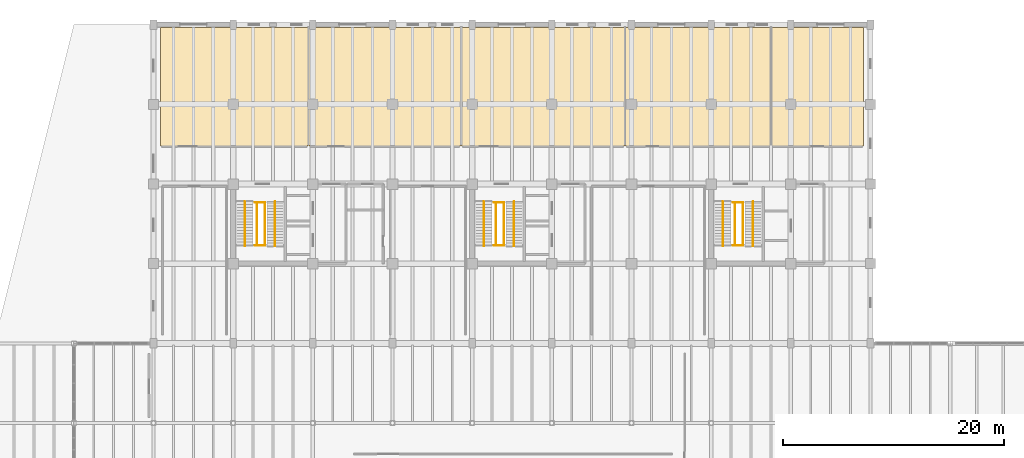
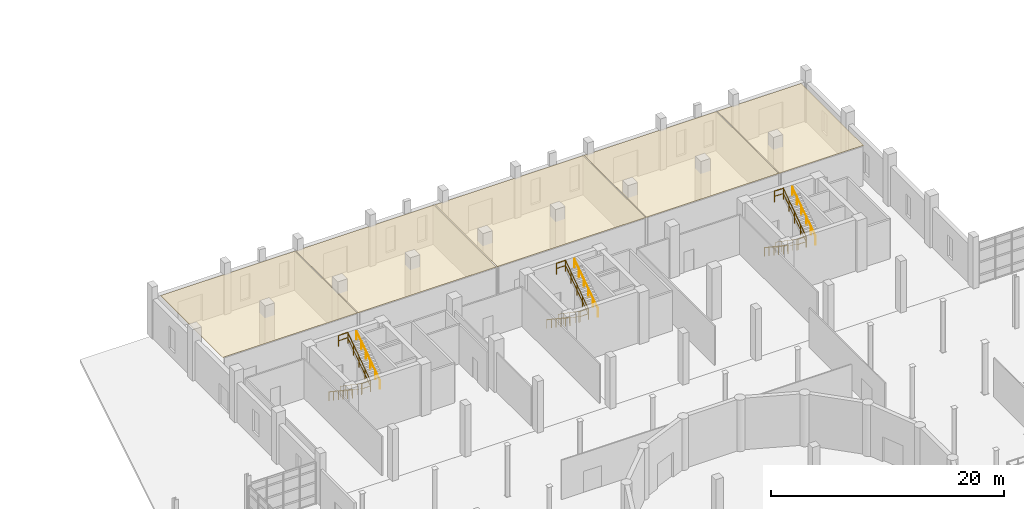
# One storey, part 77 of 79: 18 railings, 5 coverings.
"""IFC4 building model written with IfcOpenShell, lengths in metres."""

from ifc_helpers import new_model, si_unit, direction, frame, origin, origin_2d, place, context, subcontext, project, spatial, polyline, circle, outline, extrude, material, layer, layer_set, type_object, element, save


model = new_model("IFC4")

# Units and contexts
model_context = context("Model", 3, precision=1e-05, world=origin(), true_north=direction((0.0, 1.0)))
body_context = subcontext(model_context, "Body", "Model", "MODEL_VIEW")
ifc_project = project(units=[si_unit("LENGTHUNIT", "METRE"), si_unit("AREAUNIT", "SQUARE_METRE"), si_unit("VOLUMEUNIT", "CUBIC_METRE"), si_unit("PLANEANGLEUNIT", "RADIAN"), si_unit("MASSUNIT", "GRAM", prefix="KILO")], contexts=[model_context])

# Site, building, storey
site_placement = place(None, origin())
site = spatial("IfcSite", under=ifc_project, at=site_placement, CompositionType="ELEMENT")
building_placement = place(site_placement, origin())
building = spatial("IfcBuilding", under=site, at=building_placement, Name="Qiaolan Assembly House", CompositionType="ELEMENT")
storey_placement = place(building_placement, origin())
storey = spatial("IfcBuildingStorey", under=building, at=storey_placement, Name="L00", CompositionType="ELEMENT", Elevation=0.0)

# Coverings
ifc_material_1 = material(Name="Gypsum plasterboard acoustic ceiling")
ifc_layer_1 = layer(ifc_material_1, 0.044921875)
ifc_layer_set_1 = layer_set([ifc_layer_1], Name="Gypsum plasterboard acoustic ceiling")
covering_type_1 = type_object("IfcCoveringType", Name="COV-CEIL-ACOUSTIC", PredefinedType="CEILING", material=ifc_layer_set_1)
covering_1_placement = place(storey_placement, frame((0.0, 0.0, 4.074951171875)))
element("IfcCovering", 1, at=covering_1_placement, inside=storey, type_object=covering_type_1, Name="Suspended ceiling Civic Reception & One-Stop Triage Desk", PredefinedType="CEILING", context=body_context, shape_type="SweptSolid", body=[
    extrude(outline(polyline([(36.639892578125, 104.239990234375), (49.9599609375, 104.239990234375), (49.9599609375, 114.949951171875), (36.639892578125, 114.949951171875), (36.639892578125, 104.239990234375)])), origin(), (0.0, 0.0, 1.0), 0.045166015625),
])
covering_2_placement = place(storey_placement, frame((0.0, 0.0, 4.074951171875)))
element("IfcCovering", 2, at=covering_2_placement, inside=storey, type_object=covering_type_1, Name="Suspended ceiling Municipal Document Registry & Cashier", PredefinedType="CEILING", context=body_context, shape_type="SweptSolid", body=[
    extrude(outline(polyline([(50.0400390625, 104.239990234375), (63.760009765625, 104.239990234375), (63.760009765625, 114.949951171875), (50.0400390625, 114.949951171875), (50.0400390625, 104.239990234375)])), origin(), (0.0, 0.0, 1.0), 0.045166015625),
])
covering_3_placement = place(storey_placement, frame((0.0, 0.0, 4.074951171875)))
element("IfcCovering", 3, at=covering_3_placement, inside=storey, type_object=covering_type_1, Name="Suspended ceiling Public Printing, Records & Permits Counter", PredefinedType="CEILING", context=body_context, shape_type="SweptSolid", body=[
    extrude(outline(polyline([(78.639892578125, 104.239990234375), (91.760009765625, 104.239990234375), (91.760009765625, 114.949951171875), (78.639892578125, 114.949951171875), (78.639892578125, 104.239990234375)])), origin(), (0.0, 0.0, 1.0), 0.045166015625),
])
covering_4_placement = place(storey_placement, frame((0.0, 0.0, 4.074951171875)))
element("IfcCovering", 4, at=covering_4_placement, inside=storey, type_object=covering_type_1, Name="Suspended ceiling Staff First-Aid & Duty Clinic", PredefinedType="CEILING", context=body_context, shape_type="SweptSolid", body=[
    extrude(outline(polyline([(91.840087890625, 104.239990234375), (100.159912109375, 104.239990234375), (100.159912109375, 114.949951171875), (91.840087890625, 114.949951171875), (91.840087890625, 104.239990234375)])), origin(), (0.0, 0.0, 1.0), 0.045166015625),
])
ifc_layer_2 = layer(ifc_material_1, 0.052001953125)
ifc_layer_set_2 = layer_set([ifc_layer_2], Name="Gypsum plasterboard acoustic ceiling")
covering_type_2 = type_object("IfcCoveringType", Name="COV-CEIL-GYPSUM", PredefinedType="CEILING", material=ifc_layer_set_2)
covering_5_placement = place(storey_placement, frame((0.0, 0.0, 4.068115234375)))
element("IfcCovering", 5, at=covering_5_placement, inside=storey, type_object=covering_type_2, Name="Suspended ceiling Citizen Consultation & Mediation Suite", PredefinedType="CEILING", context=body_context, shape_type="SweptSolid", body=[
    extrude(outline(polyline([(63.840087890625, 104.239990234375), (78.56005859375, 104.239990234375), (78.56005859375, 114.949951171875), (63.840087890625, 114.949951171875), (63.840087890625, 104.239990234375)])), origin(), (0.0, 0.0, 1.0), 0.052001953125),
])

# Railings
ifc_material_2 = material(Name="Anodised bronze aluminium", Category="aluminium")
railing_type_1 = type_object("IfcRailingType", Name="RAL-GUARD-STAIRWELL-1150", PredefinedType="GUARDRAIL", material=ifc_material_2)
railing_1_placement = place(storey_placement, frame((45.340087890625, 99.14990234375, 0.0)))
element("IfcRailing", 6, at=railing_1_placement, inside=storey, type_object=railing_type_1, Name="GR-01 stair inner-well guard FLT-CORE-A-L00-1", PredefinedType="GUARDRAIL", context=body_context, shape_type="SweptSolid", body=[
    extrude(circle(Radius=0.02392578125, at=origin_2d()), frame((0.0, 0.0, 1.1259765625), z_axis=(0.0, -0.8221903387, 0.569212655295), x_axis=(1.0, 0.0, 0.0)), (0.0, 0.0, 1.0), 4.743408203125),
    extrude(circle(Radius=0.01611328125, at=origin_2d()), frame((0.0, 0.0, 0.574951171875), z_axis=(0.0, -0.8221903387, 0.569212655295), x_axis=(1.0, 0.0, 0.0)), (0.0, 0.0, 1.0), 4.743408203125),
    extrude(circle(Radius=0.02099609375, at=origin_2d()), origin(), (0.0, 0.0, 1.0), 1.101806640625),
    extrude(circle(Radius=0.02099609375, at=origin_2d()), frame((0.0, -0.97509765625, 0.675048828125)), (0.0, 0.0, 1.0), 1.101806640625),
    extrude(circle(Radius=0.02099609375, at=origin_2d()), frame((0.0, -1.949951171875, 1.35009765625)), (0.0, 0.0, 1.0), 1.101806640625),
    extrude(circle(Radius=0.02099609375, at=origin_2d()), frame((0.0, -2.9248046875, 2.02490234375)), (0.0, 0.0, 1.0), 1.101806640625),
    extrude(circle(Radius=0.02099609375, at=origin_2d()), frame((0.0, -3.89990234375, 2.699951171875)), (0.0, 0.0, 1.0), 1.101806640625),
])
railing_2_placement = place(storey_placement, frame((46.080078125, 95.25, 2.699951171875)))
element("IfcRailing", 7, at=railing_2_placement, inside=storey, type_object=railing_type_1, Name="GR-01 stair inner-well guard FLT-CORE-A-L00-2", PredefinedType="GUARDRAIL", context=body_context, shape_type="SweptSolid", body=[
    extrude(circle(Radius=0.02392578125, at=origin_2d()), frame((0.0, 0.0, 1.1259765625), z_axis=(0.0, 0.8221903387, 0.569212655295), x_axis=(-1.0, 0.0, 0.0)), (0.0, 0.0, 1.0), 4.743408203125),
    extrude(circle(Radius=0.01611328125, at=origin_2d()), frame((0.0, 0.0, 0.574951171875), z_axis=(0.0, 0.8221903387, 0.569212655295), x_axis=(-1.0, 0.0, 0.0)), (0.0, 0.0, 1.0), 4.743408203125),
    extrude(circle(Radius=0.02099609375, at=origin_2d()), origin(), (0.0, 0.0, 1.0), 1.101806640625),
    extrude(circle(Radius=0.02099609375, at=origin_2d()), frame((0.0, 0.97509765625, 0.675048828125)), (0.0, 0.0, 1.0), 1.101806640625),
    extrude(circle(Radius=0.02099609375, at=origin_2d()), frame((0.0, 1.949951171875, 1.35009765625)), (0.0, 0.0, 1.0), 1.101806640625),
    extrude(circle(Radius=0.02099609375, at=origin_2d()), frame((0.0, 2.9248046875, 2.02490234375)), (0.0, 0.0, 1.0), 1.101806640625),
    extrude(circle(Radius=0.02099609375, at=origin_2d()), frame((0.0, 3.89990234375, 2.699951171875)), (0.0, 0.0, 1.0), 1.101806640625),
])
for number, where, name in (
    (8, (45.179931640625, 95.25, 2.699951171875), "GR-01 stairwell landing guard CORE-A L00-1"),
    (9, (45.179931640625, 99.14990234375, 5.39990234375), "GR-01 stairwell landing guard CORE-A L00-2"),
):
    element("IfcRailing", number, at=place(storey_placement, frame(where)), inside=storey, type_object=railing_type_1, Name=name, PredefinedType="GUARDRAIL", context=body_context, shape_type="SweptSolid", body=[
        extrude(circle(Radius=0.02392578125, at=origin_2d()), frame((0.0, 0.0, 1.1259765625), z_axis=(1.0, 0.0, 0.0), x_axis=(0.0, 1.0, 0.0)), (0.0, 0.0, 1.0), 0.920166015625),
        extrude(circle(Radius=0.01611328125, at=origin_2d()), frame((0.0, 0.0, 0.574951171875), z_axis=(1.0, 0.0, 0.0), x_axis=(0.0, 1.0, 0.0)), (0.0, 0.0, 1.0), 0.920166015625),
        extrude(circle(Radius=0.02099609375, at=origin_2d()), origin(), (0.0, 0.0, 1.0), 1.101806640625),
        extrude(circle(Radius=0.02099609375, at=origin_2d()), frame((0.920166015625, 0.0, 0.0)), (0.0, 0.0, 1.0), 1.101806640625),
    ])
railing_3_placement = place(storey_placement, frame((66.93994140625, 99.14990234375, 0.0)))
element("IfcRailing", 10, at=railing_3_placement, inside=storey, type_object=railing_type_1, Name="GR-01 stair inner-well guard FLT-CORE-B-L00-1", PredefinedType="GUARDRAIL", context=body_context, shape_type="SweptSolid", body=[
    extrude(circle(Radius=0.02392578125, at=origin_2d()), frame((0.0, 0.0, 1.1259765625), z_axis=(0.0, -0.8221903387, 0.569212655295), x_axis=(1.0, 0.0, 0.0)), (0.0, 0.0, 1.0), 4.743408203125),
    extrude(circle(Radius=0.01611328125, at=origin_2d()), frame((0.0, 0.0, 0.574951171875), z_axis=(0.0, -0.8221903387, 0.569212655295), x_axis=(1.0, 0.0, 0.0)), (0.0, 0.0, 1.0), 4.743408203125),
    extrude(circle(Radius=0.02099609375, at=origin_2d()), origin(), (0.0, 0.0, 1.0), 1.101806640625),
    extrude(circle(Radius=0.02099609375, at=origin_2d()), frame((0.0, -0.97509765625, 0.675048828125)), (0.0, 0.0, 1.0), 1.101806640625),
    extrude(circle(Radius=0.02099609375, at=origin_2d()), frame((0.0, -1.949951171875, 1.35009765625)), (0.0, 0.0, 1.0), 1.101806640625),
    extrude(circle(Radius=0.02099609375, at=origin_2d()), frame((0.0, -2.9248046875, 2.02490234375)), (0.0, 0.0, 1.0), 1.101806640625),
    extrude(circle(Radius=0.02099609375, at=origin_2d()), frame((0.0, -3.89990234375, 2.699951171875)), (0.0, 0.0, 1.0), 1.101806640625),
])
railing_4_placement = place(storey_placement, frame((67.679931640625, 95.25, 2.699951171875)))
element("IfcRailing", 11, at=railing_4_placement, inside=storey, type_object=railing_type_1, Name="GR-01 stair inner-well guard FLT-CORE-B-L00-2", PredefinedType="GUARDRAIL", context=body_context, shape_type="SweptSolid", body=[
    extrude(circle(Radius=0.02392578125, at=origin_2d()), frame((0.0, 0.0, 1.1259765625), z_axis=(0.0, 0.8221903387, 0.569212655295), x_axis=(-1.0, 0.0, 0.0)), (0.0, 0.0, 1.0), 4.743408203125),
    extrude(circle(Radius=0.01611328125, at=origin_2d()), frame((0.0, 0.0, 0.574951171875), z_axis=(0.0, 0.8221903387, 0.569212655295), x_axis=(-1.0, 0.0, 0.0)), (0.0, 0.0, 1.0), 4.743408203125),
    extrude(circle(Radius=0.02099609375, at=origin_2d()), origin(), (0.0, 0.0, 1.0), 1.101806640625),
    extrude(circle(Radius=0.02099609375, at=origin_2d()), frame((0.0, 0.97509765625, 0.675048828125)), (0.0, 0.0, 1.0), 1.101806640625),
    extrude(circle(Radius=0.02099609375, at=origin_2d()), frame((0.0, 1.949951171875, 1.35009765625)), (0.0, 0.0, 1.0), 1.101806640625),
    extrude(circle(Radius=0.02099609375, at=origin_2d()), frame((0.0, 2.9248046875, 2.02490234375)), (0.0, 0.0, 1.0), 1.101806640625),
    extrude(circle(Radius=0.02099609375, at=origin_2d()), frame((0.0, 3.89990234375, 2.699951171875)), (0.0, 0.0, 1.0), 1.101806640625),
])
for number, where, name in (
    (12, (66.780029296875, 95.25, 2.699951171875), "GR-01 stairwell landing guard CORE-B L00-1"),
    (13, (66.780029296875, 99.14990234375, 5.39990234375), "GR-01 stairwell landing guard CORE-B L00-2"),
):
    element("IfcRailing", number, at=place(storey_placement, frame(where)), inside=storey, type_object=railing_type_1, Name=name, PredefinedType="GUARDRAIL", context=body_context, shape_type="SweptSolid", body=[
        extrude(circle(Radius=0.02392578125, at=origin_2d()), frame((0.0, 0.0, 1.1259765625), z_axis=(1.0, 0.0, 0.0), x_axis=(0.0, 1.0, 0.0)), (0.0, 0.0, 1.0), 0.919921875),
        extrude(circle(Radius=0.01611328125, at=origin_2d()), frame((0.0, 0.0, 0.574951171875), z_axis=(1.0, 0.0, 0.0), x_axis=(0.0, 1.0, 0.0)), (0.0, 0.0, 1.0), 0.919921875),
        extrude(circle(Radius=0.02099609375, at=origin_2d()), origin(), (0.0, 0.0, 1.0), 1.101806640625),
        extrude(circle(Radius=0.02099609375, at=origin_2d()), frame((0.919921875, 0.0, 0.0)), (0.0, 0.0, 1.0), 1.101806640625),
    ])
railing_5_placement = place(storey_placement, frame((88.5400390625, 99.14990234375, 0.0)))
element("IfcRailing", 14, at=railing_5_placement, inside=storey, type_object=railing_type_1, Name="GR-01 stair inner-well guard FLT-CORE-G-L00-1", PredefinedType="GUARDRAIL", context=body_context, shape_type="SweptSolid", body=[
    extrude(circle(Radius=0.02392578125, at=origin_2d()), frame((0.0, 0.0, 1.1259765625), z_axis=(0.0, -0.8221903387, 0.569212655295), x_axis=(1.0, 0.0, 0.0)), (0.0, 0.0, 1.0), 4.743408203125),
    extrude(circle(Radius=0.01611328125, at=origin_2d()), frame((0.0, 0.0, 0.574951171875), z_axis=(0.0, -0.8221903387, 0.569212655295), x_axis=(1.0, 0.0, 0.0)), (0.0, 0.0, 1.0), 4.743408203125),
    extrude(circle(Radius=0.02099609375, at=origin_2d()), origin(), (0.0, 0.0, 1.0), 1.101806640625),
    extrude(circle(Radius=0.02099609375, at=origin_2d()), frame((0.0, -0.97509765625, 0.675048828125)), (0.0, 0.0, 1.0), 1.101806640625),
    extrude(circle(Radius=0.02099609375, at=origin_2d()), frame((0.0, -1.949951171875, 1.35009765625)), (0.0, 0.0, 1.0), 1.101806640625),
    extrude(circle(Radius=0.02099609375, at=origin_2d()), frame((0.0, -2.9248046875, 2.02490234375)), (0.0, 0.0, 1.0), 1.101806640625),
    extrude(circle(Radius=0.02099609375, at=origin_2d()), frame((0.0, -3.89990234375, 2.699951171875)), (0.0, 0.0, 1.0), 1.101806640625),
])
railing_6_placement = place(storey_placement, frame((89.280029296875, 95.25, 2.699951171875)))
element("IfcRailing", 15, at=railing_6_placement, inside=storey, type_object=railing_type_1, Name="GR-01 stair inner-well guard FLT-CORE-G-L00-2", PredefinedType="GUARDRAIL", context=body_context, shape_type="SweptSolid", body=[
    extrude(circle(Radius=0.02392578125, at=origin_2d()), frame((0.0, 0.0, 1.1259765625), z_axis=(0.0, 0.8221903387, 0.569212655295), x_axis=(-1.0, 0.0, 0.0)), (0.0, 0.0, 1.0), 4.743408203125),
    extrude(circle(Radius=0.01611328125, at=origin_2d()), frame((0.0, 0.0, 0.574951171875), z_axis=(0.0, 0.8221903387, 0.569212655295), x_axis=(-1.0, 0.0, 0.0)), (0.0, 0.0, 1.0), 4.743408203125),
    extrude(circle(Radius=0.02099609375, at=origin_2d()), origin(), (0.0, 0.0, 1.0), 1.101806640625),
    extrude(circle(Radius=0.02099609375, at=origin_2d()), frame((0.0, 0.97509765625, 0.675048828125)), (0.0, 0.0, 1.0), 1.101806640625),
    extrude(circle(Radius=0.02099609375, at=origin_2d()), frame((0.0, 1.949951171875, 1.35009765625)), (0.0, 0.0, 1.0), 1.101806640625),
    extrude(circle(Radius=0.02099609375, at=origin_2d()), frame((0.0, 2.9248046875, 2.02490234375)), (0.0, 0.0, 1.0), 1.101806640625),
    extrude(circle(Radius=0.02099609375, at=origin_2d()), frame((0.0, 3.89990234375, 2.699951171875)), (0.0, 0.0, 1.0), 1.101806640625),
])
for number, where, name in (
    (16, (88.3798828125, 95.25, 2.699951171875), "GR-01 stairwell landing guard CORE-G L00-1"),
    (17, (88.3798828125, 99.14990234375, 5.39990234375), "GR-01 stairwell landing guard CORE-G L00-2"),
):
    element("IfcRailing", number, at=place(storey_placement, frame(where)), inside=storey, type_object=railing_type_1, Name=name, PredefinedType="GUARDRAIL", context=body_context, shape_type="SweptSolid", body=[
        extrude(circle(Radius=0.02392578125, at=origin_2d()), frame((0.0, 0.0, 1.1259765625), z_axis=(1.0, 0.0, 0.0), x_axis=(0.0, 1.0, 0.0)), (0.0, 0.0, 1.0), 0.920166015625),
        extrude(circle(Radius=0.01611328125, at=origin_2d()), frame((0.0, 0.0, 0.574951171875), z_axis=(1.0, 0.0, 0.0), x_axis=(0.0, 1.0, 0.0)), (0.0, 0.0, 1.0), 0.920166015625),
        extrude(circle(Radius=0.02099609375, at=origin_2d()), origin(), (0.0, 0.0, 1.0), 1.101806640625),
        extrude(circle(Radius=0.02099609375, at=origin_2d()), frame((0.920166015625, 0.0, 0.0)), (0.0, 0.0, 1.0), 1.101806640625),
    ])
railing_type_2 = type_object("IfcRailingType", Name="RAL-HANDRAIL-STAIR-920", PredefinedType="HANDRAIL", material=ifc_material_2)
railing_7_placement = place(storey_placement, frame((44.25, 99.2099609375, 0.0)))
element("IfcRailing", 18, at=railing_7_placement, inside=storey, type_object=railing_type_2, Name="HR-01 stair handrail FLT-CORE-A-L00-1", PredefinedType="HANDRAIL", context=body_context, shape_type="SweptSolid", body=[
    extrude(circle(Radius=0.02392578125, at=origin_2d()), frame((0.0, 0.0, 0.89599609375), z_axis=(0.0, -0.830145127286, 0.557547368071), x_axis=(1.0, 0.0, 0.0)), (0.0, 0.0, 1.0), 4.842529296875),
    extrude(circle(Radius=0.02099609375, at=origin_2d()), origin(), (0.0, 0.0, 1.0), 0.871826171875),
    extrude(circle(Radius=0.02099609375, at=origin_2d()), frame((0.0, -0.803955078125, 0.5400390625)), (0.0, 0.0, 1.0), 0.871826171875),
    extrude(circle(Radius=0.02099609375, at=origin_2d()), frame((0.0, -1.60791015625, 1.080078125)), (0.0, 0.0, 1.0), 0.871826171875),
    extrude(circle(Radius=0.02099609375, at=origin_2d()), frame((0.0, -2.412109375, 1.619873046875)), (0.0, 0.0, 1.0), 0.871826171875),
    extrude(circle(Radius=0.02099609375, at=origin_2d()), frame((0.0, -3.216064453125, 2.159912109375)), (0.0, 0.0, 1.0), 0.871826171875),
    extrude(circle(Radius=0.02099609375, at=origin_2d()), frame((0.0, -4.02001953125, 2.699951171875)), (0.0, 0.0, 1.0), 0.871826171875),
])
railing_8_placement = place(storey_placement, frame((47.0, 95.18994140625, 2.699951171875)))
element("IfcRailing", 19, at=railing_8_placement, inside=storey, type_object=railing_type_2, Name="HR-01 stair handrail FLT-CORE-A-L00-2", PredefinedType="HANDRAIL", context=body_context, shape_type="SweptSolid", body=[
    extrude(circle(Radius=0.02392578125, at=origin_2d()), frame((0.0, 0.0, 0.89599609375), z_axis=(0.0, 0.830145127286, 0.557547368071), x_axis=(-1.0, 0.0, 0.0)), (0.0, 0.0, 1.0), 4.842529296875),
    extrude(circle(Radius=0.02099609375, at=origin_2d()), origin(), (0.0, 0.0, 1.0), 0.871826171875),
    extrude(circle(Radius=0.02099609375, at=origin_2d()), frame((0.0, 0.803955078125, 0.5400390625)), (0.0, 0.0, 1.0), 0.871826171875),
    extrude(circle(Radius=0.02099609375, at=origin_2d()), frame((0.0, 1.60791015625, 1.080078125)), (0.0, 0.0, 1.0), 0.871826171875),
    extrude(circle(Radius=0.02099609375, at=origin_2d()), frame((0.0, 2.412109375, 1.619873046875)), (0.0, 0.0, 1.0), 0.871826171875),
    extrude(circle(Radius=0.02099609375, at=origin_2d()), frame((0.0, 3.216064453125, 2.159912109375)), (0.0, 0.0, 1.0), 0.871826171875),
    extrude(circle(Radius=0.02099609375, at=origin_2d()), frame((0.0, 4.02001953125, 2.699951171875)), (0.0, 0.0, 1.0), 0.871826171875),
])
railing_9_placement = place(storey_placement, frame((65.85009765625, 99.2099609375, 0.0)))
element("IfcRailing", 20, at=railing_9_placement, inside=storey, type_object=railing_type_2, Name="HR-01 stair handrail FLT-CORE-B-L00-1", PredefinedType="HANDRAIL", context=body_context, shape_type="SweptSolid", body=[
    extrude(circle(Radius=0.02392578125, at=origin_2d()), frame((0.0, 0.0, 0.89599609375), z_axis=(0.0, -0.830145127286, 0.557547368071), x_axis=(1.0, 0.0, 0.0)), (0.0, 0.0, 1.0), 4.842529296875),
    extrude(circle(Radius=0.02099609375, at=origin_2d()), origin(), (0.0, 0.0, 1.0), 0.871826171875),
    extrude(circle(Radius=0.02099609375, at=origin_2d()), frame((0.0, -0.803955078125, 0.5400390625)), (0.0, 0.0, 1.0), 0.871826171875),
    extrude(circle(Radius=0.02099609375, at=origin_2d()), frame((0.0, -1.60791015625, 1.080078125)), (0.0, 0.0, 1.0), 0.871826171875),
    extrude(circle(Radius=0.02099609375, at=origin_2d()), frame((0.0, -2.412109375, 1.619873046875)), (0.0, 0.0, 1.0), 0.871826171875),
    extrude(circle(Radius=0.02099609375, at=origin_2d()), frame((0.0, -3.216064453125, 2.159912109375)), (0.0, 0.0, 1.0), 0.871826171875),
    extrude(circle(Radius=0.02099609375, at=origin_2d()), frame((0.0, -4.02001953125, 2.699951171875)), (0.0, 0.0, 1.0), 0.871826171875),
])
railing_10_placement = place(storey_placement, frame((68.60009765625, 95.18994140625, 2.699951171875)))
element("IfcRailing", 21, at=railing_10_placement, inside=storey, type_object=railing_type_2, Name="HR-01 stair handrail FLT-CORE-B-L00-2", PredefinedType="HANDRAIL", context=body_context, shape_type="SweptSolid", body=[
    extrude(circle(Radius=0.02392578125, at=origin_2d()), frame((0.0, 0.0, 0.89599609375), z_axis=(0.0, 0.830145127286, 0.557547368071), x_axis=(-1.0, 0.0, 0.0)), (0.0, 0.0, 1.0), 4.842529296875),
    extrude(circle(Radius=0.02099609375, at=origin_2d()), origin(), (0.0, 0.0, 1.0), 0.871826171875),
    extrude(circle(Radius=0.02099609375, at=origin_2d()), frame((0.0, 0.803955078125, 0.5400390625)), (0.0, 0.0, 1.0), 0.871826171875),
    extrude(circle(Radius=0.02099609375, at=origin_2d()), frame((0.0, 1.60791015625, 1.080078125)), (0.0, 0.0, 1.0), 0.871826171875),
    extrude(circle(Radius=0.02099609375, at=origin_2d()), frame((0.0, 2.412109375, 1.619873046875)), (0.0, 0.0, 1.0), 0.871826171875),
    extrude(circle(Radius=0.02099609375, at=origin_2d()), frame((0.0, 3.216064453125, 2.159912109375)), (0.0, 0.0, 1.0), 0.871826171875),
    extrude(circle(Radius=0.02099609375, at=origin_2d()), frame((0.0, 4.02001953125, 2.699951171875)), (0.0, 0.0, 1.0), 0.871826171875),
])
railing_11_placement = place(storey_placement, frame((87.449951171875, 99.2099609375, 0.0)))
element("IfcRailing", 22, at=railing_11_placement, inside=storey, type_object=railing_type_2, Name="HR-01 stair handrail FLT-CORE-G-L00-1", PredefinedType="HANDRAIL", context=body_context, shape_type="SweptSolid", body=[
    extrude(circle(Radius=0.02392578125, at=origin_2d()), frame((0.0, 0.0, 0.89599609375), z_axis=(0.0, -0.830145127286, 0.557547368071), x_axis=(1.0, 0.0, 0.0)), (0.0, 0.0, 1.0), 4.842529296875),
    extrude(circle(Radius=0.02099609375, at=origin_2d()), origin(), (0.0, 0.0, 1.0), 0.871826171875),
    extrude(circle(Radius=0.02099609375, at=origin_2d()), frame((0.0, -0.803955078125, 0.5400390625)), (0.0, 0.0, 1.0), 0.871826171875),
    extrude(circle(Radius=0.02099609375, at=origin_2d()), frame((0.0, -1.60791015625, 1.080078125)), (0.0, 0.0, 1.0), 0.871826171875),
    extrude(circle(Radius=0.02099609375, at=origin_2d()), frame((0.0, -2.412109375, 1.619873046875)), (0.0, 0.0, 1.0), 0.871826171875),
    extrude(circle(Radius=0.02099609375, at=origin_2d()), frame((0.0, -3.216064453125, 2.159912109375)), (0.0, 0.0, 1.0), 0.871826171875),
    extrude(circle(Radius=0.02099609375, at=origin_2d()), frame((0.0, -4.02001953125, 2.699951171875)), (0.0, 0.0, 1.0), 0.871826171875),
])
railing_12_placement = place(storey_placement, frame((90.199951171875, 95.18994140625, 2.699951171875)))
element("IfcRailing", 23, at=railing_12_placement, inside=storey, type_object=railing_type_2, Name="HR-01 stair handrail FLT-CORE-G-L00-2", PredefinedType="HANDRAIL", context=body_context, shape_type="SweptSolid", body=[
    extrude(circle(Radius=0.02392578125, at=origin_2d()), frame((0.0, 0.0, 0.89599609375), z_axis=(0.0, 0.830145127286, 0.557547368071), x_axis=(-1.0, 0.0, 0.0)), (0.0, 0.0, 1.0), 4.842529296875),
    extrude(circle(Radius=0.02099609375, at=origin_2d()), origin(), (0.0, 0.0, 1.0), 0.871826171875),
    extrude(circle(Radius=0.02099609375, at=origin_2d()), frame((0.0, 0.803955078125, 0.5400390625)), (0.0, 0.0, 1.0), 0.871826171875),
    extrude(circle(Radius=0.02099609375, at=origin_2d()), frame((0.0, 1.60791015625, 1.080078125)), (0.0, 0.0, 1.0), 0.871826171875),
    extrude(circle(Radius=0.02099609375, at=origin_2d()), frame((0.0, 2.412109375, 1.619873046875)), (0.0, 0.0, 1.0), 0.871826171875),
    extrude(circle(Radius=0.02099609375, at=origin_2d()), frame((0.0, 3.216064453125, 2.159912109375)), (0.0, 0.0, 1.0), 0.871826171875),
    extrude(circle(Radius=0.02099609375, at=origin_2d()), frame((0.0, 4.02001953125, 2.699951171875)), (0.0, 0.0, 1.0), 0.871826171875),
])

save(model, "model.ifc")
